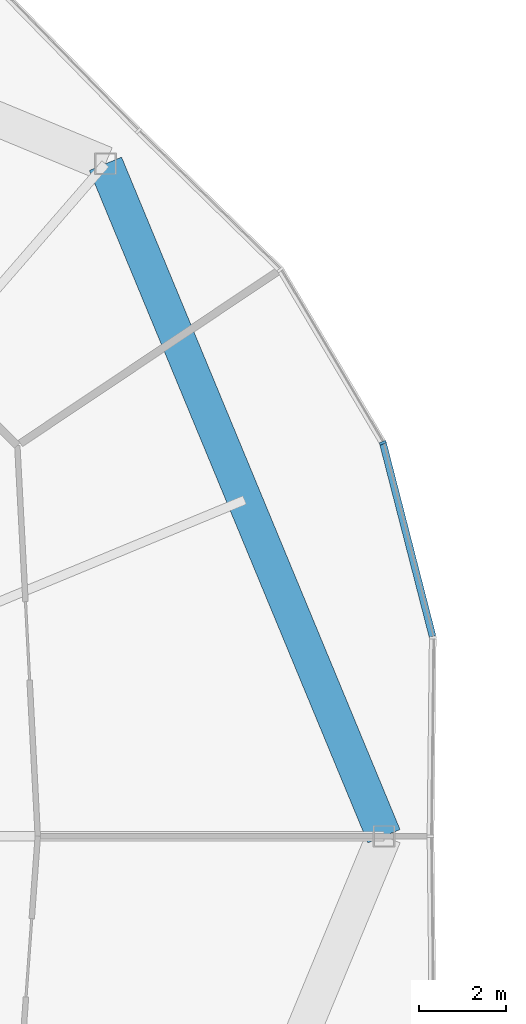
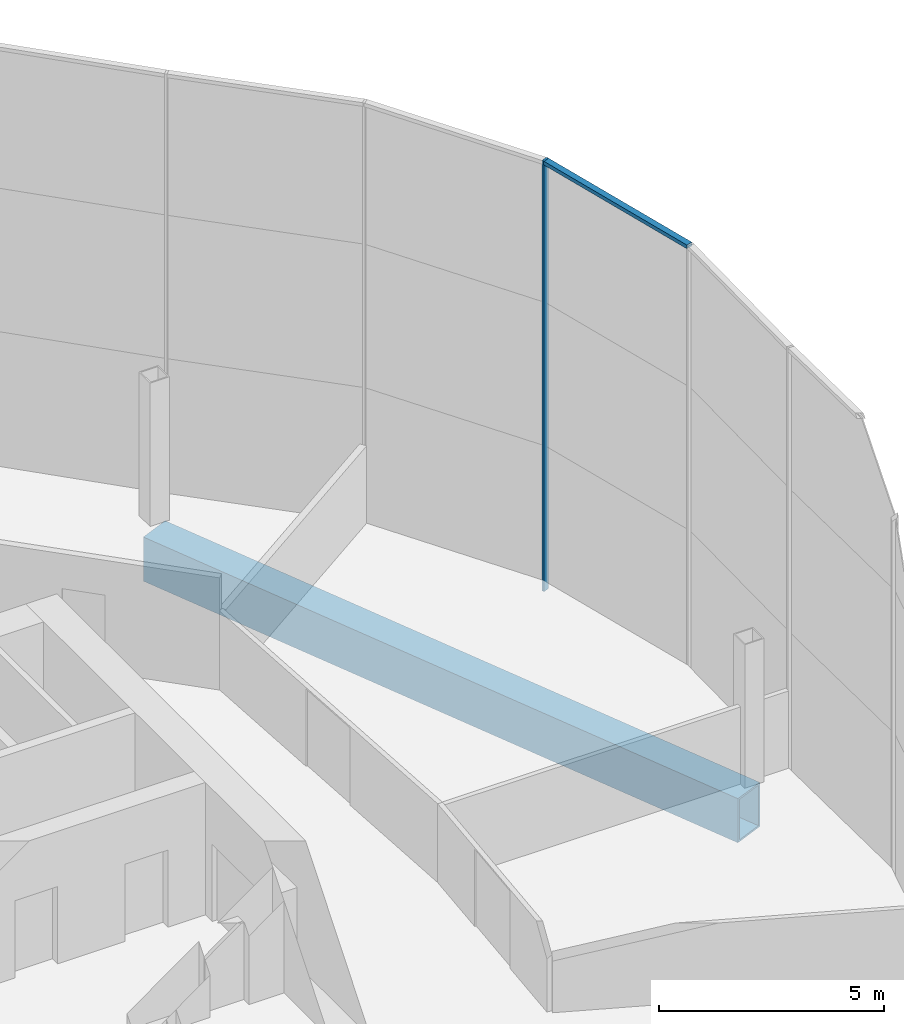
# One storey, part 7 of 25: 2 members, 1 beam, 1 element without a shape of its own.
"""IFC4 building model written with IfcOpenShell, lengths in metres."""

from ifc_helpers import new_model, si_unit, direction, frame, origin, origin_2d, place, context, subcontext, project, spatial, rectangle, hollow_rectangle, extrude, material, material_profile, profile_set, type_object, element, aggregate, save


model = new_model("IFC4")

# Units and contexts
model_context = context("Model", 3, precision=1e-05, world=origin(), true_north=direction((0.0, 1.0)))
body_context = subcontext(model_context, "Body", "Model", "MODEL_VIEW")
ifc_project = project(units=[si_unit("LENGTHUNIT", "METRE"), si_unit("AREAUNIT", "SQUARE_METRE"), si_unit("VOLUMEUNIT", "CUBIC_METRE"), si_unit("PLANEANGLEUNIT", "RADIAN"), si_unit("MASSUNIT", "GRAM", prefix="KILO")], contexts=[model_context])

# Site, building, storey
site_placement = place(None, origin())
site = spatial("IfcSite", under=ifc_project, at=site_placement, CompositionType="ELEMENT")
building_placement = place(site_placement, origin())
building = spatial("IfcBuilding", under=site, at=building_placement, Name="Ogive Gate Towers", CompositionType="ELEMENT")
storey_placement = place(building_placement, frame((0.0, 0.0, 44.10009765625)))
storey = spatial("IfcBuildingStorey", under=building, at=storey_placement, Name="L09", CompositionType="ELEMENT", Elevation=44.10009765625)

# Beam
ifc_material_1 = material(Name="Steel SM460", Category="steel")
ifc_material_profile_1 = material_profile(ifc_material_1, hollow_rectangle(XDim=0.800048828125, YDim=1.199951171875, WallThickness=0.050048828125, at=origin_2d()), Name="BX 1200x800x50")
ifc_profile_set_1 = profile_set([ifc_material_profile_1], Name="Steel SM460")
beam_type = type_object("IfcBeamType", Name="Edge girder BX 1200x800x50", PredefinedType="BEAM", material=ifc_profile_set_1)
beam_placement = place(storey_placement, frame((-14.18994140625, 0.0, -0.900146484375), z_axis=(-0.382677733282, 0.923881893128, 0.0), x_axis=(-0.923881893128, -0.382677733282, 0.0)))
element("IfcBeam", 1, at=beam_placement, inside=storey, type_object=beam_type, Name="T1/L09/SBM020", PredefinedType="BEAM", context=body_context, shape_type="SweptSolid", body=[
    extrude(hollow_rectangle(XDim=0.800048828125, YDim=1.199951171875, WallThickness=0.050048828125, at=origin_2d()), origin(), (0.0, 0.0, 1.0), 16.692626953125),
])

# Curtain wall, members
ifc_material_2 = material(Name="Pale metal aluminium", Category="aluminium")
curtain_wall_type = type_object("IfcCurtainWallType", Name="Tower unitised wall, low zone", PredefinedType="NOTDEFINED", material=ifc_material_2)
curtain_wall_placement = place(storey_placement, origin())
curtain_wall = element("IfcCurtainWall", 2, at=curtain_wall_placement, inside=storey, type_object=curtain_wall_type, Name="CW1 T1 ECW01", PredefinedType="NOTDEFINED")
ifc_material_profile_2 = material_profile(ifc_material_2, rectangle(XDim=0.159912109375, YDim=0.06005859375, at=origin_2d()), Name="60 x 160 aluminium box")
ifc_profile_set_2 = profile_set([ifc_material_profile_2], Name="Pale metal aluminium")
member_type_1 = type_object("IfcMemberType", Name="Tower unitised wall, low zone mullion 60 x 160", PredefinedType="MULLION", material=ifc_profile_set_2)
member_1_placement = place(storey_placement, frame((-14.214111328125, 9.02392578125, -0.300048828125), z_axis=(0.0, 0.0, 1.0), x_axis=(0.923879532511, 0.382683432365, 0.0)))
member_1 = element("IfcMember", 3, at=member_1_placement, type_object=member_type_1, Name="CW1 mullion", PredefinedType="MULLION", context=body_context, shape_type="SweptSolid", body=[
    extrude(rectangle(XDim=0.159912109375, YDim=0.06005859375, at=origin_2d()), origin(), (0.0, 0.0, 1.0), 11.699951171875),
])
ifc_material_profile_3 = material_profile(ifc_material_2, rectangle(XDim=0.159912109375, YDim=0.10009765625, at=origin_2d()), Name="100 x 160 aluminium box")
ifc_profile_set_3 = profile_set([ifc_material_profile_3], Name="Pale metal aluminium")
member_type_2 = type_object("IfcMemberType", Name="Tower unitised wall, low zone transom 100 x 160", PredefinedType="USERDEFINED", material=ifc_profile_set_3)
member_2_placement = place(storey_placement, frame((-13.074462890625, 4.581787109375, 11.349853515625), z_axis=(-0.248528665272, 0.968624541573, 0.0), x_axis=(-0.968624541573, -0.248528665272, 0.0)))
member_2 = element("IfcMember", 4, at=member_2_placement, type_object=member_type_2, Name="CW1 transom", ObjectType="TRANSOM", PredefinedType="USERDEFINED", context=body_context, shape_type="SweptSolid", body=[
    extrude(rectangle(XDim=0.159912109375, YDim=0.10009765625, at=origin_2d()), origin(), (0.0, 0.0, 1.0), 4.55908203125),
])
aggregate(curtain_wall, [member_1, member_2])

save(model, "model.ifc")
